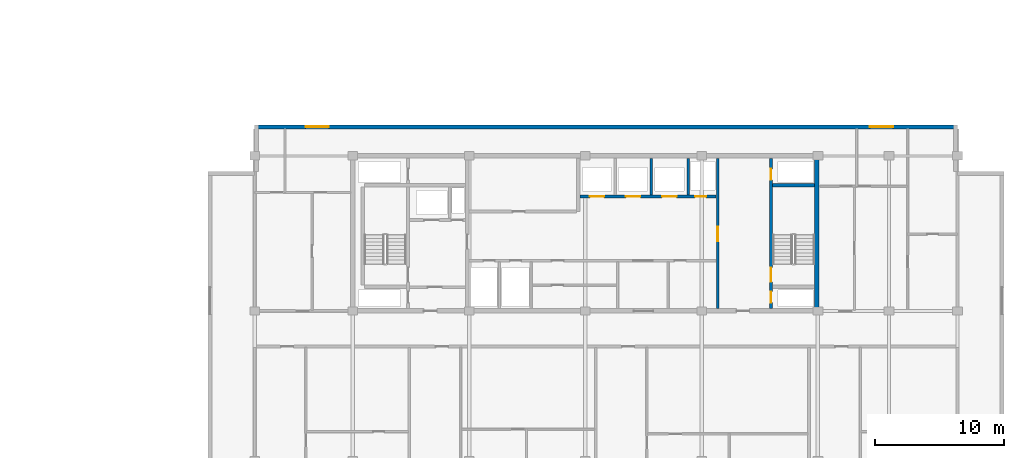
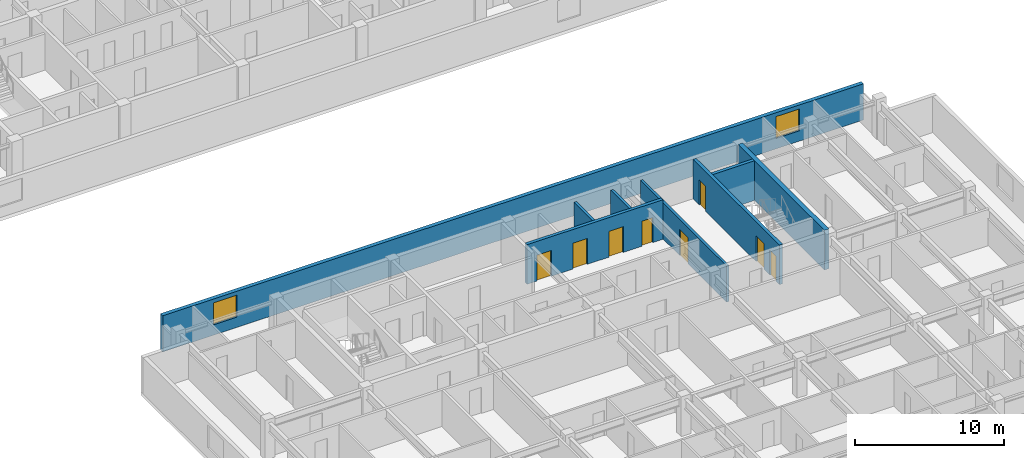
# One storey, part 8 of 22: 8 doors, 8 walls, 2 windows, 10 openings.
"""IFC4 building model written with IfcOpenShell, lengths in metres."""

from ifc_helpers import new_model, si_unit, direction, frame, frame_2d, origin, place, context, subcontext, project, spatial, rectangle, extrude, material, layer, layer_set, type_object, element, fill, save


model = new_model("IFC4")

# Units and contexts
model_context = context("Model", 3, precision=1e-05, world=origin(), true_north=direction((0.0, 1.0)))
body_context = subcontext(model_context, "Body", "Model", "MODEL_VIEW")
ifc_project = project(units=[si_unit("LENGTHUNIT", "METRE"), si_unit("AREAUNIT", "SQUARE_METRE"), si_unit("VOLUMEUNIT", "CUBIC_METRE"), si_unit("PLANEANGLEUNIT", "RADIAN"), si_unit("MASSUNIT", "GRAM", prefix="KILO")], contexts=[model_context])

# Site, building, storey
site_placement = place(None, origin())
site = spatial("IfcSite", under=ifc_project, at=site_placement, CompositionType="ELEMENT")
building_placement = place(site_placement, origin())
building = spatial("IfcBuilding", under=site, at=building_placement, Name="Korimba Cascade Residences", CompositionType="ELEMENT")
storey_placement = place(building_placement, frame((0.0, 0.0, 181.60009765625)))
storey = spatial("IfcBuildingStorey", under=building, at=storey_placement, Name="L52", CompositionType="ELEMENT", Elevation=181.60009765625)

# Wall, openings, windows
ifc_material_1 = material(Name="Precast concrete C40/50", Category="concrete")
ifc_layer_1 = layer(ifc_material_1, 0.300048828125)
ifc_layer_set_1 = layer_set([ifc_layer_1], Name="Precast concrete C40/50")
wall_type_1 = type_object("IfcWallType", Name="EW-STONE-300", PredefinedType="STANDARD", material=ifc_layer_set_1)
wall_1_placement = place(storey_placement, frame((128.89990234375, 32.64990234375, 0.0), z_axis=(0.0, 0.0, 1.0), x_axis=(-1.0, 0.0, 0.0)))
wall_1 = element("IfcWall", 1, at=wall_1_placement, inside=storey, type_object=wall_type_1, Name="L52 T2 Perimeter Stone Wall E06", PredefinedType="STANDARD", context=body_context, shape_type="SweptSolid", body=[
    extrude(rectangle(XDim=54.39990234375, YDim=0.300048828125, at=frame_2d((27.199951171875, 0.0))), origin(), (0.0, 0.0, 1.0), 2.969970703125),
])
opening_1_placement = place(wall_1_placement, frame((48.64990234375, 0.0, 0.85009765625)))
opening_1 = element("IfcOpeningElement", 2, at=opening_1_placement, cuts=wall_1, Name="Opening W-02", PredefinedType="OPENING", context=body_context, shape_type="SweptSolid", body=[
    extrude(rectangle(XDim=1.800048828125, YDim=1.800048828125, at=frame_2d((0.89990234375, 0.89990234375))), frame((0.0, 0.16015625, 0.0), z_axis=(0.0, -1.0, 0.0), x_axis=(1.0, 0.0, 0.0)), (0.0, 0.0, 1.0), 0.320068359375),
])
opening_2_placement = place(wall_1_placement, frame((4.97509765625, 0.0, 0.85009765625)))
opening_2 = element("IfcOpeningElement", 3, at=opening_2_placement, cuts=wall_1, Name="Opening W-02", PredefinedType="OPENING", context=body_context, shape_type="SweptSolid", body=[
    extrude(rectangle(XDim=1.800048828125, YDim=1.800048828125, at=frame_2d((0.89990234375, 0.89990234375))), frame((0.0, 0.16015625, 0.0), z_axis=(0.0, -1.0, 0.0), x_axis=(1.0, 0.0, 0.0)), (0.0, 0.0, 1.0), 0.320068359375),
])
ifc_material_2 = material(Name="Double-Glazed Aluminium Window", Category="aluminium")
window_type = type_object("IfcWindowType", Name="WIN-BED-1800", PartitioningType="SINGLE_PANEL", PredefinedType="WINDOW", material=ifc_material_2)
window_1_placement = place(opening_1_placement, origin())
window_1 = element("IfcWindow", 4, at=window_1_placement, inside=storey, type_object=window_type, Name="L52 T2 North Corner Bedroom Window 1", OverallHeight=1.800048828125, OverallWidth=1.800048828125, PartitioningType="SINGLE_PANEL", PredefinedType="WINDOW", context=body_context, shape_type="SweptSolid", body=[
    extrude(rectangle(XDim=1.800048828125, YDim=1.800048828125, at=frame_2d((0.89990234375, 0.89990234375))), frame((0.0, 0.030029296875, 0.0), z_axis=(0.0, -1.0, 0.0), x_axis=(1.0, 0.0, 0.0)), (0.0, 0.0, 1.0), 0.06005859375),
])
fill(opening_1, window_1)
window_2_placement = place(opening_2_placement, origin())
window_2 = element("IfcWindow", 5, at=window_2_placement, inside=storey, type_object=window_type, Name="L52 T2 North Corner Bedroom Window 2", OverallHeight=1.800048828125, OverallWidth=1.800048828125, PartitioningType="SINGLE_PANEL", PredefinedType="WINDOW", context=body_context, shape_type="SweptSolid", body=[
    extrude(rectangle(XDim=1.800048828125, YDim=1.800048828125, at=frame_2d((0.89990234375, 0.89990234375))), frame((0.0, 0.030029296875, 0.0), z_axis=(0.0, -1.0, 0.0), x_axis=(1.0, 0.0, 0.0)), (0.0, 0.0, 1.0), 0.06005859375),
])
fill(opening_2, window_2)

# Walls
ifc_material_3 = material(Name="Concrete C65/80", Category="concrete")
ifc_layer_2 = layer(ifc_material_3, 0.35009765625)
ifc_layer_set_2 = layer_set([ifc_layer_2], Name="Concrete C65/80")
wall_type_2 = type_object("IfcWallType", Name="WAL-CORE-350", PredefinedType="SHEAR", material=ifc_layer_set_2)
wall_2_placement = place(storey_placement, frame((118.014892578125, 18.574951171875, 0.0), z_axis=(0.0, 0.0, 1.0), x_axis=(0.0, 1.0, 0.0)))
element("IfcWall", 6, at=wall_2_placement, inside=storey, type_object=wall_type_2, Name="L52 Core Shear Wall CW-L52-T2-E", PredefinedType="SHEAR", context=body_context, shape_type="SweptSolid", body=[
    extrude(rectangle(XDim=11.650146484375, YDim=0.35009765625, at=frame_2d((5.8251953125, 0.0))), origin(), (0.0, 0.0, 1.0), 3.25),
])
ifc_material_4 = material(Name="Concrete C40/50", Category="concrete")
ifc_layer_3 = layer(ifc_material_4, 0.199951171875)
ifc_layer_set_3 = layer_set([ifc_layer_3], Name="Concrete C40/50")
wall_type_3 = type_object("IfcWallType", Name="WAL-PART-200", PredefinedType="PARTITIONING", material=ifc_layer_set_3)
for number, where, z_axis, x_axis, name in (
    (7, (105.199951171875, 27.3798828125, 0.0), (0.0, 0.0, 1.0), (0.0, 1.0, 0.0), "L52 Partition Wall CW-L52-T2-B2D2"),
    (8, (108.050048828125, 27.3798828125, 0.0), (0.0, 0.0, 1.0), (0.0, 1.0, 0.0), "L52 Partition Wall CW-L52-T2-B2D3"),
):
    element("IfcWall", number, at=place(storey_placement, frame(where, z_axis=z_axis, x_axis=x_axis)), inside=storey, type_object=wall_type_3, Name=name, PredefinedType="PARTITIONING", context=body_context, shape_type="SweptSolid", body=[
        extrude(rectangle(XDim=2.820068359375, YDim=0.199951171875, at=frame_2d((1.41015625, 0.0))), origin(), (0.0, 0.0, 1.0), 2.969970703125),
    ])

# Wall, opening, door
wall_3_placement = place(storey_placement, frame((110.35009765625, 18.60009765625, 0.0), z_axis=(0.0, 0.0, 1.0), x_axis=(0.0, 1.0, 0.0)))
wall_3 = element("IfcWall", 9, at=wall_3_placement, inside=storey, type_object=wall_type_3, Name="L52 Partition Wall CW-L52-T2-LLEV", PredefinedType="PARTITIONING", context=body_context, shape_type="SweptSolid", body=[
    extrude(rectangle(XDim=11.599853515625, YDim=0.199951171875, at=frame_2d((5.7998046875, 0.0))), origin(), (0.0, 0.0, 1.0), 2.969970703125),
])
opening_3_placement = place(wall_3_placement, frame((5.199951171875, 0.0, 0.0)))
opening_3 = element("IfcOpeningElement", 10, at=opening_3_placement, cuts=wall_3, Name="Opening D-FD6", PredefinedType="OPENING", context=body_context, shape_type="SweptSolid", body=[
    extrude(rectangle(XDim=1.10009765625, YDim=2.14990234375, at=frame_2d((0.550048828125, 1.074951171875))), frame((0.0, 0.10986328125, 0.0), z_axis=(0.0, -1.0, 0.0), x_axis=(1.0, 0.0, 0.0)), (0.0, 0.0, 1.0), 0.219970703125),
])
ifc_material_5 = material(Name="Fire-Rated Timber Stair Lobby Door", Category="wood")
door_type_1 = type_object("IfcDoorType", Name="DR-FD90-1100", OperationType="NOTDEFINED", PredefinedType="DOOR", material=ifc_material_5)
door_1_placement = place(opening_3_placement, origin())
door_1 = element("IfcDoor", 11, at=door_1_placement, inside=storey, type_object=door_type_1, Name="L52 T2 Lift Lobby to East Stair Lobby Door", OperationType="SINGLE_SWING_LEFT", OverallHeight=2.14990234375, OverallWidth=1.10009765625, PredefinedType="DOOR", context=body_context, shape_type="SweptSolid", body=[
    extrude(rectangle(XDim=1.10009765625, YDim=2.14990234375, at=frame_2d((0.550048828125, 1.074951171875))), frame((0.0, 0.02490234375, 0.0), z_axis=(0.0, -1.0, 0.0), x_axis=(1.0, 0.0, 0.0)), (0.0, 0.0, 1.0), 0.050048828125),
])
fill(opening_3, door_1)

# Wall, openings, doors
ifc_material_6 = material(Name="Concrete C50/60", Category="concrete")
ifc_layer_4 = layer(ifc_material_6, 0.25)
ifc_layer_set_4 = layer_set([ifc_layer_4], Name="Concrete C50/60")
wall_type_4 = type_object("IfcWallType", Name="WAL-SHAFT-250", PredefinedType="SHEAR", material=ifc_layer_set_4)
wall_4_placement = place(storey_placement, frame((99.679931640625, 27.25, 0.0), z_axis=(0.0, 0.0, 1.0), x_axis=(1.0, 0.0, 0.0)))
wall_4 = element("IfcWall", 12, at=wall_4_placement, inside=storey, type_object=wall_type_4, Name="L52 Core Shear Wall CW-L52-T2-B2S", PredefinedType="SHEAR", context=body_context, shape_type="SweptSolid", body=[
    extrude(rectangle(XDim=10.5400390625, YDim=0.25, at=frame_2d((5.27001953125, 0.0))), origin(), (0.0, 0.0, 1.0), 3.25),
])
opening_4_placement = place(wall_4_placement, frame((0.760009765625, 0.0, 0.0)))
opening_4 = element("IfcOpeningElement", 13, at=opening_4_placement, cuts=wall_4, Name="Opening LD-01", PredefinedType="OPENING", context=body_context, shape_type="SweptSolid", body=[
    extrude(rectangle(XDim=1.1201171875, YDim=2.1201171875, at=frame_2d((0.56005859375, 1.06005859375))), frame((0.0, 0.135009765625, 0.0), z_axis=(0.0, -1.0, 0.0), x_axis=(1.0, 0.0, 0.0)), (0.0, 0.0, 1.0), 0.27001953125),
])
opening_5_placement = place(wall_4_placement, frame((3.56005859375, 0.0, 0.0)))
opening_5 = element("IfcOpeningElement", 14, at=opening_5_placement, cuts=wall_4, Name="Opening LD-01", PredefinedType="OPENING", context=body_context, shape_type="SweptSolid", body=[
    extrude(rectangle(XDim=1.1201171875, YDim=2.1201171875, at=frame_2d((0.56005859375, 1.06005859375))), frame((0.0, 0.135009765625, 0.0), z_axis=(0.0, -1.0, 0.0), x_axis=(1.0, 0.0, 0.0)), (0.0, 0.0, 1.0), 0.27001953125),
])
opening_6_placement = place(wall_4_placement, frame((6.360107421875, 0.0, 0.0)))
opening_6 = element("IfcOpeningElement", 15, at=opening_6_placement, cuts=wall_4, Name="Opening LD-01", PredefinedType="OPENING", context=body_context, shape_type="SweptSolid", body=[
    extrude(rectangle(XDim=1.1201171875, YDim=2.1201171875, at=frame_2d((0.56005859375, 1.06005859375))), frame((0.0, 0.135009765625, 0.0), z_axis=(0.0, -1.0, 0.0), x_axis=(1.0, 0.0, 0.0)), (0.0, 0.0, 1.0), 0.27001953125),
])
opening_7_placement = place(wall_4_placement, frame((8.919921875, 0.0, 0.0)))
opening_7 = element("IfcOpeningElement", 16, at=opening_7_placement, cuts=wall_4, Name="Opening D-RS1", PredefinedType="OPENING", context=body_context, shape_type="SweptSolid", body=[
    extrude(rectangle(XDim=0.85009765625, YDim=2.050048828125, at=frame_2d((0.425048828125, 1.02490234375))), frame((0.0, 0.135009765625, 0.0), z_axis=(0.0, -1.0, 0.0), x_axis=(1.0, 0.0, 0.0)), (0.0, 0.0, 1.0), 0.27001953125),
])
ifc_material_7 = material(Name="Fire-Rated Steel Riser Access Door", Category="steel")
door_type_2 = type_object("IfcDoorType", Name="DR-FD60-850", OperationType="NOTDEFINED", PredefinedType="DOOR", material=ifc_material_7)
door_2_placement = place(opening_7_placement, origin())
door_2 = element("IfcDoor", 17, at=door_2_placement, inside=storey, type_object=door_type_2, Name="L52 T2 Duct Door", OperationType="SINGLE_SWING_LEFT", OverallHeight=2.050048828125, OverallWidth=0.85009765625, PredefinedType="DOOR", context=body_context, shape_type="SweptSolid", body=[
    extrude(rectangle(XDim=0.85009765625, YDim=2.050048828125, at=frame_2d((0.425048828125, 1.02490234375))), frame((0.0, 0.02490234375, 0.0), z_axis=(0.0, -1.0, 0.0), x_axis=(1.0, 0.0, 0.0)), (0.0, 0.0, 1.0), 0.050048828125),
])
fill(opening_7, door_2)
ifc_material_8 = material(Name="Stainless Steel Lift Landing Sliding Door", Category="steel")
door_type_3 = type_object("IfcDoorType", Name="DR-LIFT-1100", OperationType="NOTDEFINED", PredefinedType="DOOR", material=ifc_material_8)
door_3_placement = place(opening_4_placement, origin())
door_3 = element("IfcDoor", 18, at=door_3_placement, inside=storey, type_object=door_type_3, Name="L52 Lift Landing Door PL-E4", OperationType="SLIDING_TO_RIGHT", OverallHeight=2.1201171875, OverallWidth=1.1201171875, PredefinedType="DOOR", context=body_context, shape_type="SweptSolid", body=[
    extrude(rectangle(XDim=1.1201171875, YDim=2.1201171875, at=frame_2d((0.56005859375, 1.06005859375))), frame((0.0, 0.02490234375, 0.0), z_axis=(0.0, -1.0, 0.0), x_axis=(1.0, 0.0, 0.0)), (0.0, 0.0, 1.0), 0.050048828125),
])
fill(opening_4, door_3)
door_4_placement = place(opening_5_placement, origin())
door_4 = element("IfcDoor", 19, at=door_4_placement, inside=storey, type_object=door_type_3, Name="L52 Lift Landing Door PL-E5", OperationType="SLIDING_TO_RIGHT", OverallHeight=2.1201171875, OverallWidth=1.1201171875, PredefinedType="DOOR", context=body_context, shape_type="SweptSolid", body=[
    extrude(rectangle(XDim=1.1201171875, YDim=2.1201171875, at=frame_2d((0.56005859375, 1.06005859375))), frame((0.0, 0.02490234375, 0.0), z_axis=(0.0, -1.0, 0.0), x_axis=(1.0, 0.0, 0.0)), (0.0, 0.0, 1.0), 0.050048828125),
])
fill(opening_5, door_4)
door_5_placement = place(opening_6_placement, origin())
door_5 = element("IfcDoor", 20, at=door_5_placement, inside=storey, type_object=door_type_3, Name="L52 Lift Landing Door PL-E6", OperationType="SLIDING_TO_RIGHT", OverallHeight=2.1201171875, OverallWidth=1.1201171875, PredefinedType="DOOR", context=body_context, shape_type="SweptSolid", body=[
    extrude(rectangle(XDim=1.1201171875, YDim=2.1201171875, at=frame_2d((0.56005859375, 1.06005859375))), frame((0.0, 0.02490234375, 0.0), z_axis=(0.0, -1.0, 0.0), x_axis=(1.0, 0.0, 0.0)), (0.0, 0.0, 1.0), 0.050048828125),
])
fill(opening_6, door_5)

wall_5_placement = place(storey_placement, frame((114.47509765625, 18.60009765625, 0.0), z_axis=(0.0, 0.0, 1.0), x_axis=(0.0, 1.0, 0.0)))
wall_5 = element("IfcWall", 21, at=wall_5_placement, inside=storey, type_object=wall_type_4, Name="L52 Core Shear Wall CW-L52-T2-STE2W", PredefinedType="SHEAR", context=body_context, shape_type="SweptSolid", body=[
    extrude(rectangle(XDim=11.599853515625, YDim=0.25, at=frame_2d((5.7998046875, 0.0))), origin(), (0.0, 0.0, 1.0), 3.25),
])
opening_8_placement = place(wall_5_placement, frame((0.449951171875, 0.0, 0.0)))
opening_8 = element("IfcOpeningElement", 22, at=opening_8_placement, cuts=wall_5, Name="Opening D-RS1", PredefinedType="OPENING", context=body_context, shape_type="SweptSolid", body=[
    extrude(rectangle(XDim=0.85009765625, YDim=2.050048828125, at=frame_2d((0.425048828125, 1.02490234375))), frame((0.0, 0.135009765625, 0.0), z_axis=(0.0, -1.0, 0.0), x_axis=(1.0, 0.0, 0.0)), (0.0, 0.0, 1.0), 0.27001953125),
])
opening_9_placement = place(wall_5_placement, frame((2.050048828125, 0.0, 0.0)))
opening_9 = element("IfcOpeningElement", 23, at=opening_9_placement, cuts=wall_5, Name="Opening D-FD1", PredefinedType="OPENING", context=body_context, shape_type="SweptSolid", body=[
    extrude(rectangle(XDim=1.10009765625, YDim=2.10009765625, at=frame_2d((0.550048828125, 1.050048828125))), frame((0.0, 0.135009765625, 0.0), z_axis=(0.0, -1.0, 0.0), x_axis=(1.0, 0.0, 0.0)), (0.0, 0.0, 1.0), 0.27001953125),
])
opening_10_placement = place(wall_5_placement, frame((9.949951171875, 0.0, 0.0)))
opening_10 = element("IfcOpeningElement", 24, at=opening_10_placement, cuts=wall_5, Name="Opening D-RS1", PredefinedType="OPENING", context=body_context, shape_type="SweptSolid", body=[
    extrude(rectangle(XDim=0.85009765625, YDim=2.050048828125, at=frame_2d((0.425048828125, 1.02490234375))), frame((0.0, 0.135009765625, 0.0), z_axis=(0.0, -1.0, 0.0), x_axis=(1.0, 0.0, 0.0)), (0.0, 0.0, 1.0), 0.27001953125),
])
ifc_material_9 = material(Name="Fire-Rated Steel Core Door", Category="steel")
door_type_4 = type_object("IfcDoorType", Name="DR-FD120-1100", OperationType="NOTDEFINED", PredefinedType="DOOR", material=ifc_material_9)
door_6_placement = place(opening_9_placement, origin())
door_6 = element("IfcDoor", 25, at=door_6_placement, inside=storey, type_object=door_type_4, Name="L52 Fire Stair ST-E2 Door", OperationType="SINGLE_SWING_LEFT", OverallHeight=2.10009765625, OverallWidth=1.10009765625, PredefinedType="DOOR", context=body_context, shape_type="SweptSolid", body=[
    extrude(rectangle(XDim=1.10009765625, YDim=2.10009765625, at=frame_2d((0.550048828125, 1.050048828125))), frame((0.0, 0.02490234375, 0.0), z_axis=(0.0, -1.0, 0.0), x_axis=(1.0, 0.0, 0.0)), (0.0, 0.0, 1.0), 0.050048828125),
])
fill(opening_9, door_6)
door_7_placement = place(opening_8_placement, origin())
door_7 = element("IfcDoor", 26, at=door_7_placement, inside=storey, type_object=door_type_2, Name="L52 T2 East Hydrant Door", OperationType="SINGLE_SWING_RIGHT", OverallHeight=2.050048828125, OverallWidth=0.85009765625, PredefinedType="DOOR", context=body_context, shape_type="SweptSolid", body=[
    extrude(rectangle(XDim=0.85009765625, YDim=2.050048828125, at=frame_2d((0.425048828125, 1.02490234375))), frame((0.0, 0.02490234375, 0.0), z_axis=(0.0, -1.0, 0.0), x_axis=(1.0, 0.0, 0.0)), (0.0, 0.0, 1.0), 0.050048828125),
])
fill(opening_8, door_7)
door_8_placement = place(opening_10_placement, origin())
door_8 = element("IfcDoor", 27, at=door_8_placement, inside=storey, type_object=door_type_2, Name="L52 T2 East Riser Door", OperationType="SINGLE_SWING_RIGHT", OverallHeight=2.050048828125, OverallWidth=0.85009765625, PredefinedType="DOOR", context=body_context, shape_type="SweptSolid", body=[
    extrude(rectangle(XDim=0.85009765625, YDim=2.050048828125, at=frame_2d((0.425048828125, 1.02490234375))), frame((0.0, 0.02490234375, 0.0), z_axis=(0.0, -1.0, 0.0), x_axis=(1.0, 0.0, 0.0)), (0.0, 0.0, 1.0), 0.050048828125),
])
fill(opening_10, door_8)

# Wall
wall_6_placement = place(storey_placement, frame((114.60009765625, 28.125, 0.0), z_axis=(0.0, 0.0, 1.0), x_axis=(1.0, 0.0, 0.0)))
element("IfcWall", 28, at=wall_6_placement, inside=storey, type_object=wall_type_4, Name="L52 Core Shear Wall CW-L52-T2-STE2N", PredefinedType="SHEAR", context=body_context, shape_type="SweptSolid", body=[
    extrude(rectangle(XDim=3.239990234375, YDim=0.25, at=frame_2d((1.6201171875, 0.0))), origin(), (0.0, 0.0, 1.0), 3.25),
])

save(model, "model.ifc")
